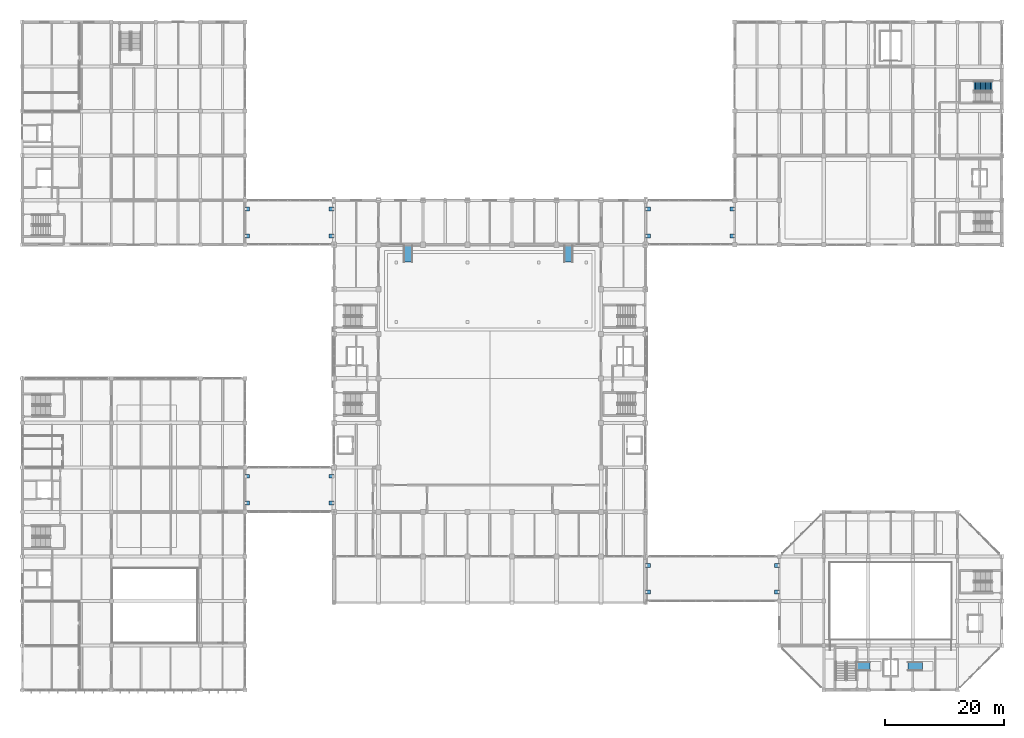
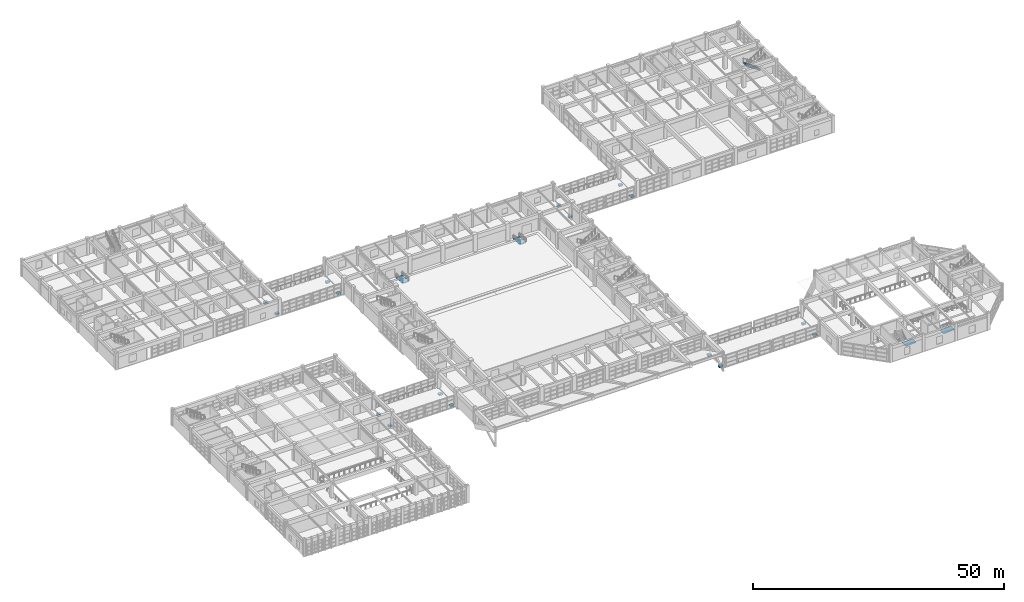
# One storey, part 111 of 132: 16 discrete accessories, 4 ramp flights, 1 stair flight, 5 elements without a shape of their own.
"""IFC4 building model written with IfcOpenShell, lengths in metres."""

from ifc_helpers import new_model, si_unit, direction, frame, origin, origin_2d, place, context, subcontext, project, spatial, polyline, rectangle, outline, extrude, material, layer, layer_set, type_object, element, aggregate, save


model = new_model("IFC4")

# Units and contexts
model_context = context("Model", 3, precision=1e-05, world=origin(), true_north=direction((0.0, 1.0)))
body_context = subcontext(model_context, "Body", "Model", "MODEL_VIEW")
ifc_project = project(units=[si_unit("LENGTHUNIT", "METRE"), si_unit("AREAUNIT", "SQUARE_METRE"), si_unit("VOLUMEUNIT", "CUBIC_METRE"), si_unit("PLANEANGLEUNIT", "RADIAN"), si_unit("MASSUNIT", "GRAM", prefix="KILO")], contexts=[model_context])

# Site, building, storey
site_placement = place(None, origin())
site = spatial("IfcSite", under=ifc_project, at=site_placement, CompositionType="ELEMENT")
building_placement = place(site_placement, origin())
building = spatial("IfcBuilding", under=site, at=building_placement, Name="Qasida Concert Hall", CompositionType="ELEMENT")
storey_placement = place(building_placement, frame((0.0, 0.0, 4.800048828125)))
storey = spatial("IfcBuildingStorey", under=building, at=storey_placement, Name="L01", CompositionType="ELEMENT", Elevation=4.800048828125)

# Stair, stair flight
ifc_material_1 = material(Name="Concrete C40/50", Category="concrete")
stair_type = type_object("IfcStairType", Name="ST-DL-165", PredefinedType="HALF_TURN_STAIR", material=ifc_material_1)
stair_placement = place(storey_placement, origin())
stair = element("IfcStair", 1, at=stair_placement, inside=storey, type_object=stair_type, Name="L01 Exit stair ST-08", PredefinedType="HALF_TURN_STAIR")
stair_flight_type = type_object("IfcStairFlightType", Name="SF-DL-165", PredefinedType="STRAIGHT", material=ifc_material_1)
stair_flight_placement = place(storey_placement, frame((163.35009765625, 101.675048828125, 0.0), z_axis=(0.0, 0.0, 1.0), x_axis=(-1.0, 0.0, 0.0)))
stair_flight = element("IfcStairFlight", 2, at=stair_flight_placement, type_object=stair_flight_type, Name="ST-08 flight 1", NumberOfRisers=12, NumberOfTreads=11, PredefinedType="STRAIGHT", RiserHeight=0.175, TreadLength=0.28, context=body_context, shape_type="SweptSolid", body=[
    extrude(outline(polyline([(0.0, 0.0), (0.0, 0.175048828125), (0.280029296875, 0.175048828125), (0.280029296875, 0.35009765625), (0.56005859375, 0.35009765625), (0.56005859375, 0.52490234375), (0.840087890625, 0.52490234375), (0.840087890625, 0.699951171875), (1.1201171875, 0.699951171875), (1.1201171875, 0.875), (1.39990234375, 0.875), (1.39990234375, 1.050048828125), (1.679931640625, 1.050048828125), (1.679931640625, 1.22509765625), (1.9599609375, 1.22509765625), (1.9599609375, 1.39990234375), (2.239990234375, 1.39990234375), (2.239990234375, 1.574951171875), (2.52001953125, 1.574951171875), (2.52001953125, 1.75), (2.800048828125, 1.75), (2.800048828125, 1.925048828125), (3.080078125, 1.925048828125), (3.080078125, 2.10009765625), (3.080078125, 1.736328125), (0.3017578125, 0.0), (0.0, 0.0)])), frame((0.0, 0.824951171875, 0.0), z_axis=(0.0, -1.0, 0.0), x_axis=(1.0, 0.0, 0.0)), (0.0, 0.0, 1.0), 1.64990234375),
])
aggregate(stair, [stair_flight])

# Ramp, ramp flight
ramp_type = type_object("IfcRampType", Name="RMP-ACC-150", PredefinedType="STRAIGHT_RUN_RAMP", material=ifc_material_1)
ramp_1_placement = place(storey_placement, origin())
ramp_1 = element("IfcRamp", 3, at=ramp_1_placement, inside=storey, type_object=ramp_type, Name="Concert platform west accessible ramp", PredefinedType="STRAIGHT_RUN_RAMP")
ifc_layer = layer(ifc_material_1, 0.159912109375, Name="Concrete C40/50")
ifc_layer_set = layer_set([ifc_layer], Name="Concrete C40/50")
ramp_flight_type = type_object("IfcRampFlightType", Name="RMF-ACC-150", PredefinedType="STRAIGHT", material=ifc_layer_set)
ramp_flight_1_placement = place(storey_placement, frame((64.25, 74.800048828125, 0.0), z_axis=(0.0, 0.07753064236, 0.996989969606), x_axis=(0.0, -0.996989969606, 0.07753064236)))
ramp_flight_1 = element("IfcRampFlight", 4, at=ramp_flight_1_placement, type_object=ramp_flight_type, Name="Concert platform west accessible ramp flight", PredefinedType="STRAIGHT", context=body_context, shape_type="SweptSolid", body=[
    extrude(outline(polyline([(0.0, 0.0), (2.7081026431405926, 0.0), (2.7081026431405926, 1.5), (0.0, 1.5), (0.0, 0.0)])), origin(), (0.0, 0.0, -1.0), 0.159912109375),
])
aggregate(ramp_1, [ramp_flight_1])

ramp_2_placement = place(storey_placement, origin())
ramp_2 = element("IfcRamp", 5, at=ramp_2_placement, inside=storey, type_object=ramp_type, Name="Concert platform east accessible ramp", PredefinedType="STRAIGHT_RUN_RAMP")
ramp_flight_2_placement = place(storey_placement, frame((91.25, 74.800048828125, 0.0), z_axis=(0.0, 0.07753064236, 0.996989969606), x_axis=(0.0, -0.996989969606, 0.07753064236)))
ramp_flight_2 = element("IfcRampFlight", 6, at=ramp_flight_2_placement, type_object=ramp_flight_type, Name="Concert platform east accessible ramp flight", PredefinedType="STRAIGHT", context=body_context, shape_type="SweptSolid", body=[
    extrude(outline(polyline([(0.0, 0.0), (2.7081026431405926, 0.0), (2.7081026431405926, 1.5), (0.0, 1.5), (0.0, 0.0)])), origin(), (0.0, 0.0, -1.0), 0.159912109375),
])
aggregate(ramp_2, [ramp_flight_2])

ramp_3_placement = place(storey_placement, origin())
ramp_3 = element("IfcRamp", 7, at=ramp_3_placement, inside=storey, type_object=ramp_type, Name="Chamber foyer west threshold ramp", PredefinedType="STRAIGHT_RUN_RAMP")
ramp_flight_3_placement = place(storey_placement, frame((140.39990234375, 3.25, 0.0), z_axis=(-0.074757166413, 0.0, 0.997201767984), x_axis=(0.997201767984, 0.0, 0.074757166413)))
ramp_flight_3 = element("IfcRampFlight", 8, at=ramp_flight_3_placement, type_object=ramp_flight_type, Name="Chamber foyer west threshold ramp flight", PredefinedType="STRAIGHT", context=body_context, shape_type="SweptSolid", body=[
    extrude(outline(polyline([(0.0, 0.0), (2.406881497239878, 0.0), (2.406881497239878, 1.4999999999999998), (0.0, 1.4999999999999998), (0.0, 0.0)])), origin(), (0.0, 0.0, -1.0), 0.159912109375),
])
aggregate(ramp_3, [ramp_flight_3])

ramp_4_placement = place(storey_placement, origin())
ramp_4 = element("IfcRamp", 9, at=ramp_4_placement, inside=storey, type_object=ramp_type, Name="Chamber foyer east threshold ramp", PredefinedType="STRAIGHT_RUN_RAMP")
ramp_flight_4_placement = place(storey_placement, frame((149.199951171875, 3.25, 0.0), z_axis=(-0.074757166413, 0.0, 0.997201767984), x_axis=(0.997201767984, 0.0, 0.074757166413)))
ramp_flight_4 = element("IfcRampFlight", 10, at=ramp_flight_4_placement, type_object=ramp_flight_type, Name="Chamber foyer east threshold ramp flight", PredefinedType="STRAIGHT", context=body_context, shape_type="SweptSolid", body=[
    extrude(outline(polyline([(0.0, 0.0), (2.406881497239878, 0.0), (2.406881497239878, 1.4999999999999998), (0.0, 1.4999999999999998), (0.0, 0.0)])), origin(), (0.0, 0.0, -1.0), 0.159912109375),
])
aggregate(ramp_4, [ramp_flight_4])

# Discrete accessories
ifc_material_2 = material(Name="Concrete C50/60", Category="concrete")
discrete_accessory_type = type_object("IfcDiscreteAccessoryType", Name="ACC-CORBEL-800", PredefinedType="BRACKET", material=ifc_material_2)
for number, where, z_axis, x_axis, name in (
    (11, (37.89990234375, 31.5, -0.820068359375), (0.0, 0.0, 1.0), (1.0, 0.0, 0.0), "Seismic bridge corbel seat CB-800-005"),
    (12, (37.89990234375, 36.0, -0.820068359375), (0.0, 0.0, 1.0), (1.0, 0.0, 0.0), "Seismic bridge corbel seat CB-800-006"),
    (13, (52.10009765625, 31.5, -0.820068359375), (0.0, 0.0, 1.0), (1.0, 0.0, 0.0), "Seismic bridge corbel seat CB-800-007"),
    (14, (52.10009765625, 36.0, -0.820068359375), (0.0, 0.0, 1.0), (1.0, 0.0, 0.0), "Seismic bridge corbel seat CB-800-008"),
    (15, (37.89990234375, 76.5, -0.820068359375), (0.0, 0.0, 1.0), (1.0, 0.0, 0.0), "Seismic bridge corbel seat CB-800-021"),
    (16, (37.89990234375, 81.0, -0.820068359375), (0.0, 0.0, 1.0), (1.0, 0.0, 0.0), "Seismic bridge corbel seat CB-800-022"),
    (17, (52.10009765625, 76.5, -0.820068359375), (0.0, 0.0, 1.0), (1.0, 0.0, 0.0), "Seismic bridge corbel seat CB-800-023"),
    (18, (52.10009765625, 81.0, -0.820068359375), (0.0, 0.0, 1.0), (1.0, 0.0, 0.0), "Seismic bridge corbel seat CB-800-024"),
    (19, (105.39990234375, 76.5, -0.820068359375), (0.0, 0.0, 1.0), (1.0, 0.0, 0.0), "Seismic bridge corbel seat CB-800-033"),
    (20, (105.39990234375, 81.0, -0.820068359375), (0.0, 0.0, 1.0), (1.0, 0.0, 0.0), "Seismic bridge corbel seat CB-800-034"),
    (21, (119.60009765625, 76.5, -0.820068359375), (0.0, 0.0, 1.0), (1.0, 0.0, 0.0), "Seismic bridge corbel seat CB-800-035"),
    (22, (119.60009765625, 81.0, -0.820068359375), (0.0, 0.0, 1.0), (1.0, 0.0, 0.0), "Seismic bridge corbel seat CB-800-036"),
    (23, (105.39990234375, 16.5, -0.820068359375), (0.0, 0.0, 1.0), (1.0, 0.0, 0.0), "Seismic bridge corbel seat CB-800-041"),
    (24, (105.39990234375, 21.0, -0.820068359375), (0.0, 0.0, 1.0), (1.0, 0.0, 0.0), "Seismic bridge corbel seat CB-800-042"),
    (25, (127.10009765625, 16.5, -0.820068359375), (0.0, 0.0, 1.0), (1.0, 0.0, 0.0), "Seismic bridge corbel seat CB-800-043"),
    (26, (127.10009765625, 21.0, -0.820068359375), (0.0, 0.0, 1.0), (1.0, 0.0, 0.0), "Seismic bridge corbel seat CB-800-044"),
):
    element("IfcDiscreteAccessory", number, at=place(storey_placement, frame(where, z_axis=z_axis, x_axis=x_axis)), inside=storey, type_object=discrete_accessory_type, Name=name, PredefinedType="BRACKET", context=body_context, shape_type="SweptSolid", body=[
        extrude(rectangle(XDim=0.800048828125, YDim=0.64990234375, at=origin_2d()), origin(), (0.0, 0.0, 1.0), 0.419921875),
    ])

save(model, "model.ifc")
